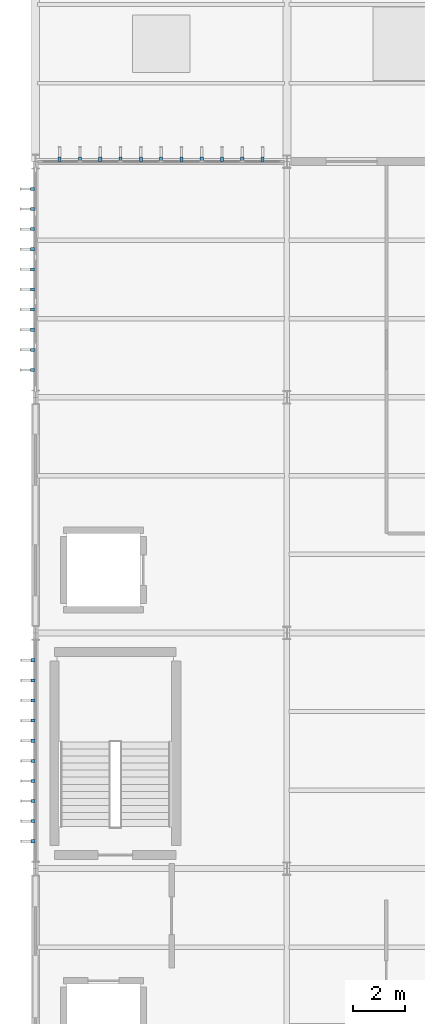
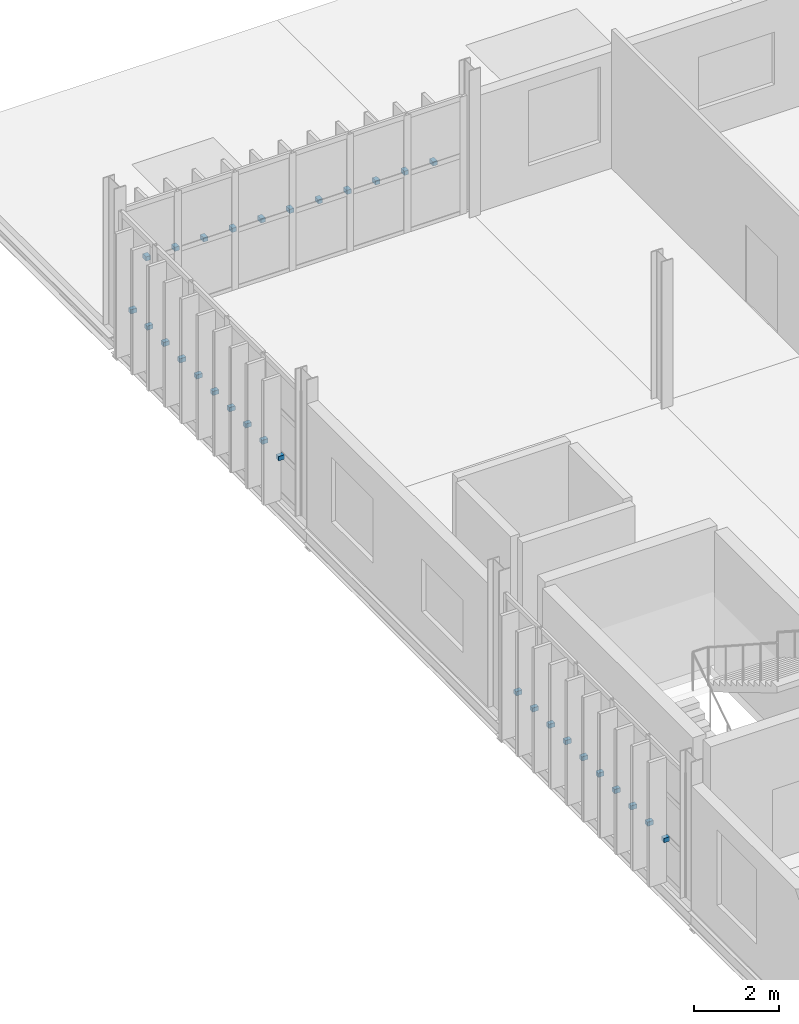
# One storey, part 36 of 52: 31 discrete accessories.
"""IFC4 building model written with IfcOpenShell, lengths in metres."""

from ifc_helpers import new_model, si_unit, direction, frame, origin, origin_2d, place, context, subcontext, project, spatial, rectangle, extrude, material, type_object, element, save


model = new_model("IFC4")

# Units and contexts
model_context = context("Model", 3, precision=1e-05, world=origin(), true_north=direction((0.0, 1.0)))
body_context = subcontext(model_context, "Body", "Model", "MODEL_VIEW")
ifc_project = project(units=[si_unit("LENGTHUNIT", "METRE"), si_unit("AREAUNIT", "SQUARE_METRE"), si_unit("VOLUMEUNIT", "CUBIC_METRE"), si_unit("PLANEANGLEUNIT", "RADIAN"), si_unit("MASSUNIT", "GRAM", prefix="KILO")], contexts=[model_context])

# Site, building, storey
site_placement = place(None, origin())
site = spatial("IfcSite", under=ifc_project, at=site_placement, CompositionType="ELEMENT")
building_placement = place(site_placement, origin())
building = spatial("IfcBuilding", under=site, at=building_placement, Name="Zarnetskaya Central Station", CompositionType="ELEMENT")
storey_placement = place(building_placement, frame((0.0, 0.0, 14.39990234375)))
storey = spatial("IfcBuildingStorey", under=building, at=storey_placement, Name="L03", CompositionType="ELEMENT", Elevation=14.39990234375)

# Discrete accessories
ifc_material = material(Name="Steel S355", Category="steel")
discrete_accessory_type = type_object("IfcDiscreteAccessoryType", Name="ACC-FIN-BRACKET", PredefinedType="BRACKET", material=ifc_material)
for number, where, z_axis, x_axis, name in (
    (1, (-0.090087890625, 32.2431640625, 1.150146484375), (0.0, 0.0, 1.0), (0.0, 1.0, 0.0), "Timber fin fixing bracket CW-L03-033-01"),
    (2, (-0.090087890625, 33.011474609375, 1.150146484375), (0.0, 0.0, 1.0), (0.0, 1.0, 0.0), "Timber fin fixing bracket CW-L03-033-02"),
    (3, (-0.090087890625, 33.779541015625, 1.150146484375), (0.0, 0.0, 1.0), (0.0, 1.0, 0.0), "Timber fin fixing bracket CW-L03-033-03"),
    (4, (-0.090087890625, 34.547607421875, 1.150146484375), (0.0, 0.0, 1.0), (0.0, 1.0, 0.0), "Timber fin fixing bracket CW-L03-033-04"),
    (5, (-0.090087890625, 35.31591796875, 1.150146484375), (0.0, 0.0, 1.0), (0.0, 1.0, 0.0), "Timber fin fixing bracket CW-L03-033-05"),
    (6, (-0.090087890625, 36.083984375, 1.150146484375), (0.0, 0.0, 1.0), (0.0, 1.0, 0.0), "Timber fin fixing bracket CW-L03-033-06"),
    (7, (-0.090087890625, 36.852294921875, 1.150146484375), (0.0, 0.0, 1.0), (0.0, 1.0, 0.0), "Timber fin fixing bracket CW-L03-033-07"),
    (8, (-0.090087890625, 37.620361328125, 1.150146484375), (0.0, 0.0, 1.0), (0.0, 1.0, 0.0), "Timber fin fixing bracket CW-L03-033-08"),
    (9, (-0.090087890625, 38.388671875, 1.150146484375), (0.0, 0.0, 1.0), (0.0, 1.0, 0.0), "Timber fin fixing bracket CW-L03-033-09"),
    (10, (-0.090087890625, 39.15673828125, 1.150146484375), (0.0, 0.0, 1.0), (0.0, 1.0, 0.0), "Timber fin fixing bracket CW-L03-033-10"),
    (11, (-0.110107421875, 50.2431640625, 1.150146484375), (0.0, 0.0, 1.0), (0.0, 1.0, 0.0), "Timber fin fixing bracket CW-L03-034-01"),
    (12, (-0.110107421875, 51.011474609375, 1.150146484375), (0.0, 0.0, 1.0), (0.0, 1.0, 0.0), "Timber fin fixing bracket CW-L03-034-02"),
    (13, (-0.110107421875, 51.779541015625, 1.150146484375), (0.0, 0.0, 1.0), (0.0, 1.0, 0.0), "Timber fin fixing bracket CW-L03-034-03"),
    (14, (-0.110107421875, 52.547607421875, 1.150146484375), (0.0, 0.0, 1.0), (0.0, 1.0, 0.0), "Timber fin fixing bracket CW-L03-034-04"),
    (15, (-0.110107421875, 53.31591796875, 1.150146484375), (0.0, 0.0, 1.0), (0.0, 1.0, 0.0), "Timber fin fixing bracket CW-L03-034-05"),
    (16, (-0.110107421875, 54.083984375, 1.150146484375), (0.0, 0.0, 1.0), (0.0, 1.0, 0.0), "Timber fin fixing bracket CW-L03-034-06"),
    (17, (-0.110107421875, 54.852294921875, 1.150146484375), (0.0, 0.0, 1.0), (0.0, 1.0, 0.0), "Timber fin fixing bracket CW-L03-034-07"),
    (18, (-0.110107421875, 55.620361328125, 1.150146484375), (0.0, 0.0, 1.0), (0.0, 1.0, 0.0), "Timber fin fixing bracket CW-L03-034-08"),
    (19, (-0.110107421875, 56.388671875, 1.150146484375), (0.0, 0.0, 1.0), (0.0, 1.0, 0.0), "Timber fin fixing bracket CW-L03-034-09"),
    (20, (-0.110107421875, 57.15673828125, 1.150146484375), (0.0, 0.0, 1.0), (0.0, 1.0, 0.0), "Timber fin fixing bracket CW-L03-034-10"),
    (21, (0.925048828125, 58.2900390625, 1.6201171875), (0.0, 0.0, 1.0), (1.0, 0.0, 0.0), "Timber fin fixing bracket CW-L03-035-01"),
    (22, (1.699951171875, 58.2900390625, 1.6201171875), (0.0, 0.0, 1.0), (1.0, 0.0, 0.0), "Timber fin fixing bracket CW-L03-035-02"),
    (23, (2.47509765625, 58.2900390625, 1.6201171875), (0.0, 0.0, 1.0), (1.0, 0.0, 0.0), "Timber fin fixing bracket CW-L03-035-03"),
    (24, (3.25, 58.2900390625, 1.6201171875), (0.0, 0.0, 1.0), (1.0, 0.0, 0.0), "Timber fin fixing bracket CW-L03-035-04"),
    (25, (4.02490234375, 58.2900390625, 1.6201171875), (0.0, 0.0, 1.0), (1.0, 0.0, 0.0), "Timber fin fixing bracket CW-L03-035-05"),
    (26, (4.800048828125, 58.2900390625, 1.6201171875), (0.0, 0.0, 1.0), (1.0, 0.0, 0.0), "Timber fin fixing bracket CW-L03-035-06"),
    (27, (5.574951171875, 58.2900390625, 1.6201171875), (0.0, 0.0, 1.0), (1.0, 0.0, 0.0), "Timber fin fixing bracket CW-L03-035-07"),
    (28, (6.35009765625, 58.2900390625, 1.6201171875), (0.0, 0.0, 1.0), (1.0, 0.0, 0.0), "Timber fin fixing bracket CW-L03-035-08"),
    (29, (7.125, 58.2900390625, 1.6201171875), (0.0, 0.0, 1.0), (1.0, 0.0, 0.0), "Timber fin fixing bracket CW-L03-035-09"),
    (30, (7.89990234375, 58.2900390625, 1.6201171875), (0.0, 0.0, 1.0), (1.0, 0.0, 0.0), "Timber fin fixing bracket CW-L03-035-10"),
    (31, (8.675048828125, 58.2900390625, 1.6201171875), (0.0, 0.0, 1.0), (1.0, 0.0, 0.0), "Timber fin fixing bracket CW-L03-035-11"),
):
    element("IfcDiscreteAccessory", number, at=place(storey_placement, frame(where, z_axis=z_axis, x_axis=x_axis)), inside=storey, type_object=discrete_accessory_type, Name=name, PredefinedType="BRACKET", context=body_context, shape_type="SweptSolid", body=[
        extrude(rectangle(XDim=0.1201171875, YDim=0.159912109375, at=origin_2d()), origin(), (0.0, 0.0, 1.0), 0.1201171875),
    ])

save(model, "model.ifc")
